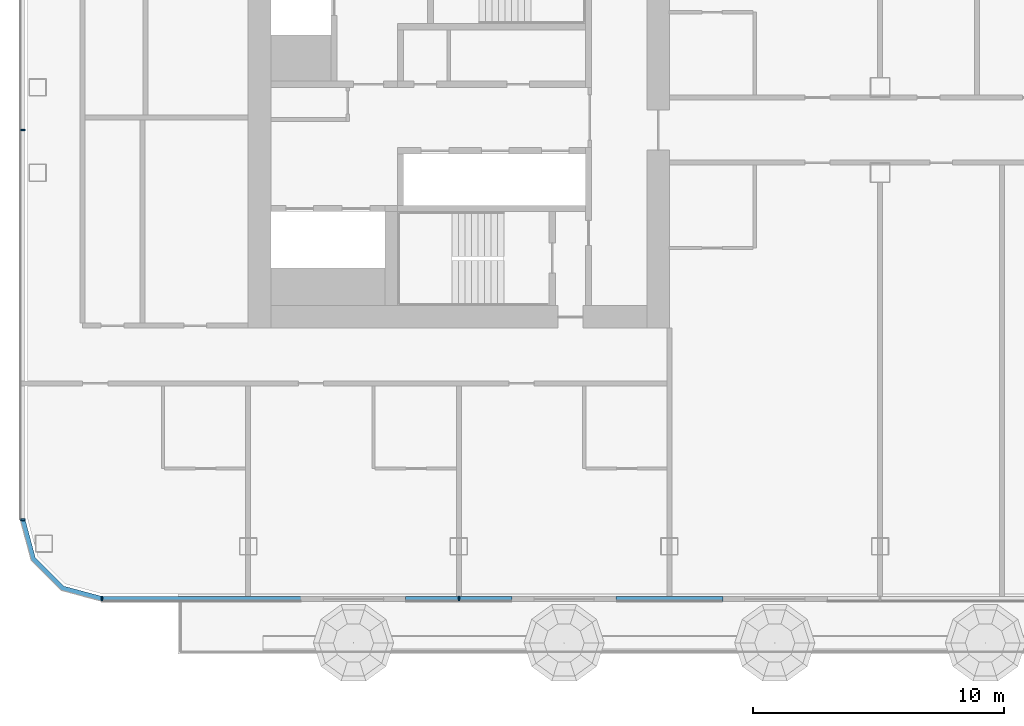
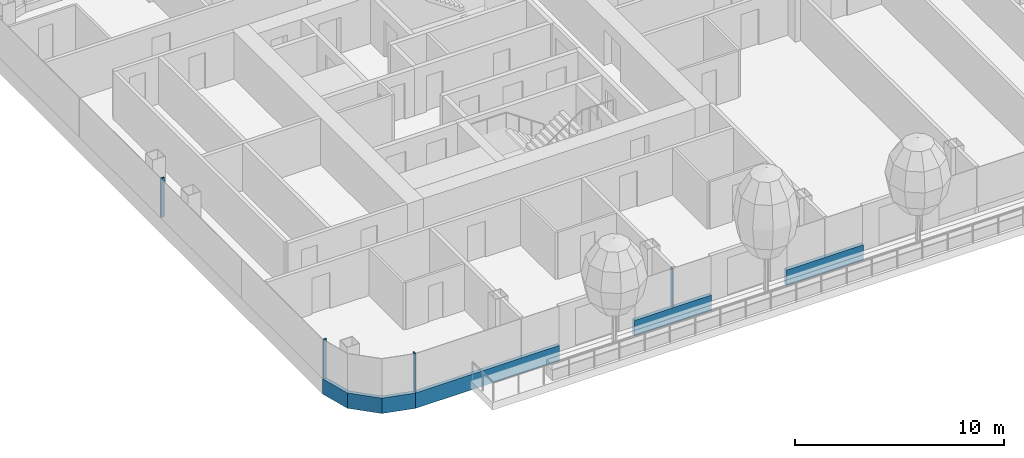
# One storey, part 2 of 29: 8 members, 3 elements without a shape of their own.
"""IFC4 building model written with IfcOpenShell, lengths in metres."""

from ifc_helpers import new_model, si_unit, direction, frame, origin, origin_2d, place, context, subcontext, project, spatial, polyline, rectangle, outline, extrude, material, layer, layer_set, material_profile, profile_set, type_object, element, aggregate, save


model = new_model("IFC4")

# Units and contexts
model_context = context("Model", 3, precision=1e-05, world=origin(), true_north=direction((0.0, 1.0)))
body_context = subcontext(model_context, "Body", "Model", "MODEL_VIEW")
ifc_project = project(units=[si_unit("LENGTHUNIT", "METRE"), si_unit("AREAUNIT", "SQUARE_METRE"), si_unit("VOLUMEUNIT", "CUBIC_METRE"), si_unit("PLANEANGLEUNIT", "RADIAN"), si_unit("MASSUNIT", "GRAM", prefix="KILO")], contexts=[model_context])

# Site, building, storey
site_placement = place(None, origin())
site = spatial("IfcSite", under=ifc_project, at=site_placement, CompositionType="ELEMENT")
building_placement = place(site_placement, origin())
building = spatial("IfcBuilding", under=site, at=building_placement, Name="Hakoniwa Tower and Hamabe Station Hall", CompositionType="ELEMENT")
storey_placement = place(building_placement, frame((0.0, 0.0, 163.0)))
storey = spatial("IfcBuildingStorey", under=building, at=storey_placement, Name="L46", CompositionType="ELEMENT", Elevation=163.0)

# Curtain wall, member
ifc_material_1 = material(Name="Dark low-e laminated glass", Category="glass")
ifc_layer = layer(ifc_material_1, 0.199951171875)
ifc_layer_set = layer_set([ifc_layer], Name="CW-1 UNITISED GUEST")
curtain_wall_type = type_object("IfcCurtainWallType", Name="CW-1 UNITISED GUEST", PredefinedType="NOTDEFINED", material=ifc_layer_set)
curtain_wall_1_placement = place(storey_placement, origin())
curtain_wall_1 = element("IfcCurtainWall", 1, at=curtain_wall_1_placement, inside=storey, type_object=curtain_wall_type, Name="CW-1 curtain wall", PredefinedType="NOTDEFINED")
ifc_material_2 = material(Name="Aluminium 6063-T5 black anodised", Category="aluminium")
ifc_material_profile_1 = material_profile(ifc_material_2, rectangle(XDim=0.199951171875, YDim=0.89990234375, at=origin_2d()), Name="CW SLAB-EDGE BAND 900X200")
ifc_profile_set_1 = profile_set([ifc_material_profile_1], Name="Aluminium 6063-T5 black anodised")
member_type_1 = type_object("IfcMemberType", Name="CW SLAB-EDGE BAND 900X200", PredefinedType="USERDEFINED", material=ifc_profile_set_1)
member_1_placement = place(storey_placement, frame((0.0, 0.0, -0.550048828125)))
member_1 = element("IfcMember", 2, at=member_1_placement, type_object=member_type_1, Name="CW-1 transom", ObjectType="TRANSOM", PredefinedType="USERDEFINED", context=body_context, shape_type="SweptSolid", body=[
    extrude(outline(polyline([(-42.699951171875, -16.03955078125), (-42.26708984375, -17.6552734375), (-41.05517578125, -18.866943359375), (-39.439453125, -19.300048828125), (-39.3876953125, -19.10693359375), (-40.95166015625, -18.687744140625), (-42.087646484375, -17.5517578125), (-42.5068359375, -15.98779296875), (-42.699951171875, -16.03955078125)])), origin(), (0.0, 0.0, 1.0), 0.900146484375),
])
aggregate(curtain_wall_1, [member_1])

# Curtain wall, members
curtain_wall_2_placement = place(storey_placement, origin())
curtain_wall_2 = element("IfcCurtainWall", 3, at=curtain_wall_2_placement, inside=storey, type_object=curtain_wall_type, Name="CW-1 curtain wall", PredefinedType="NOTDEFINED")
member_2_placement = place(storey_placement, frame((-39.439453125, -19.199951171875, -0.10009765625), z_axis=(1.0, 0.0, 0.0), x_axis=(0.0, 1.0, 0.0)))
member_2 = element("IfcMember", 4, at=member_2_placement, type_object=member_type_1, Name="CW-1 transom", ObjectType="TRANSOM", PredefinedType="USERDEFINED", context=body_context, shape_type="SweptSolid", body=[
    extrude(rectangle(XDim=0.199951171875, YDim=0.89990234375, at=origin_2d()), origin(), (0.0, 0.0, 1.0), 7.969482421875),
])
member_3_placement = place(storey_placement, frame((-27.330078125, -19.199951171875, -0.10009765625), z_axis=(1.0, 0.0, 0.0), x_axis=(0.0, 1.0, 0.0)))
member_3 = element("IfcMember", 5, at=member_3_placement, type_object=member_type_1, Name="CW-1 transom", ObjectType="TRANSOM", PredefinedType="USERDEFINED", context=body_context, shape_type="SweptSolid", body=[
    extrude(rectangle(XDim=0.199951171875, YDim=0.89990234375, at=origin_2d()), origin(), (0.0, 0.0, 1.0), 4.260009765625),
])
member_4_placement = place(storey_placement, frame((-18.929931640625, -19.199951171875, -0.10009765625), z_axis=(1.0, 0.0, 0.0), x_axis=(0.0, 1.0, 0.0)))
member_4 = element("IfcMember", 6, at=member_4_placement, type_object=member_type_1, Name="CW-1 transom", ObjectType="TRANSOM", PredefinedType="USERDEFINED", context=body_context, shape_type="SweptSolid", body=[
    extrude(rectangle(XDim=0.199951171875, YDim=0.89990234375, at=origin_2d()), origin(), (0.0, 0.0, 1.0), 4.260009765625),
])

curtain_wall_3_placement = place(storey_placement, origin())
curtain_wall_3 = element("IfcCurtainWall", 7, at=curtain_wall_3_placement, inside=storey, type_object=curtain_wall_type, Name="CW-1 curtain wall", PredefinedType="NOTDEFINED")
ifc_material_3 = material(Name="Aluminium 6063-T5 black anodised", Category="aluminium")
ifc_material_profile_2 = material_profile(ifc_material_3, rectangle(XDim=0.06005859375, YDim=0.179931640625, at=origin_2d()), Name="CW-1 MULLION 60X180")
ifc_profile_set_2 = profile_set([ifc_material_profile_2], Name="Aluminium 6063-T5 black anodised")
member_type_2 = type_object("IfcMemberType", Name="CW-1 MULLION 60X180", PredefinedType="MULLION", material=ifc_profile_set_2)
member_5_placement = place(storey_placement, frame((-42.58203125, -0.5, 0.35009765625), z_axis=(0.0, 0.0, 1.0), x_axis=(0.0, -1.0, 0.0)))
member_5 = element("IfcMember", 8, at=member_5_placement, type_object=member_type_2, Name="CW-1 mullion", PredefinedType="MULLION", context=body_context, shape_type="SweptSolid", body=[
    extrude(rectangle(XDim=0.06005859375, YDim=0.179931640625, at=origin_2d()), origin(), (0.0, 0.0, 1.0), 2.2998046875),
])
member_6_placement = place(storey_placement, frame((-42.58203125, -16.03955078125, 0.35009765625), z_axis=(0.0, 0.0, 1.0), x_axis=(0.0, -1.0, 0.0)))
member_6 = element("IfcMember", 9, at=member_6_placement, type_object=member_type_2, Name="CW-1 mullion", PredefinedType="MULLION", context=body_context, shape_type="SweptSolid", body=[
    extrude(rectangle(XDim=0.06005859375, YDim=0.179931640625, at=origin_2d()), origin(), (0.0, 0.0, 1.0), 2.2998046875),
])
aggregate(curtain_wall_3, [member_5, member_6])

# Member
member_7_placement = place(storey_placement, frame((-39.439453125, -19.181884765625, 0.35009765625), z_axis=(0.0, 0.0, 1.0), x_axis=(1.0, 0.0, 0.0)))
member_7 = element("IfcMember", 10, at=member_7_placement, type_object=member_type_2, Name="CW-1 mullion", PredefinedType="MULLION", context=body_context, shape_type="SweptSolid", body=[
    extrude(rectangle(XDim=0.06005859375, YDim=0.179931640625, at=origin_2d()), origin(), (0.0, 0.0, 1.0), 2.2998046875),
])

member_8_placement = place(storey_placement, frame((-25.199951171875, -19.181884765625, 0.35009765625), z_axis=(0.0, 0.0, 1.0), x_axis=(1.0, 0.0, 0.0)))
member_8 = element("IfcMember", 11, at=member_8_placement, type_object=member_type_2, Name="CW-1 mullion", PredefinedType="MULLION", context=body_context, shape_type="SweptSolid", body=[
    extrude(rectangle(XDim=0.06005859375, YDim=0.179931640625, at=origin_2d()), origin(), (0.0, 0.0, 1.0), 2.2998046875),
])

aggregate(curtain_wall_2, [member_7, member_8, member_2, member_3, member_4])

save(model, "model.ifc")
